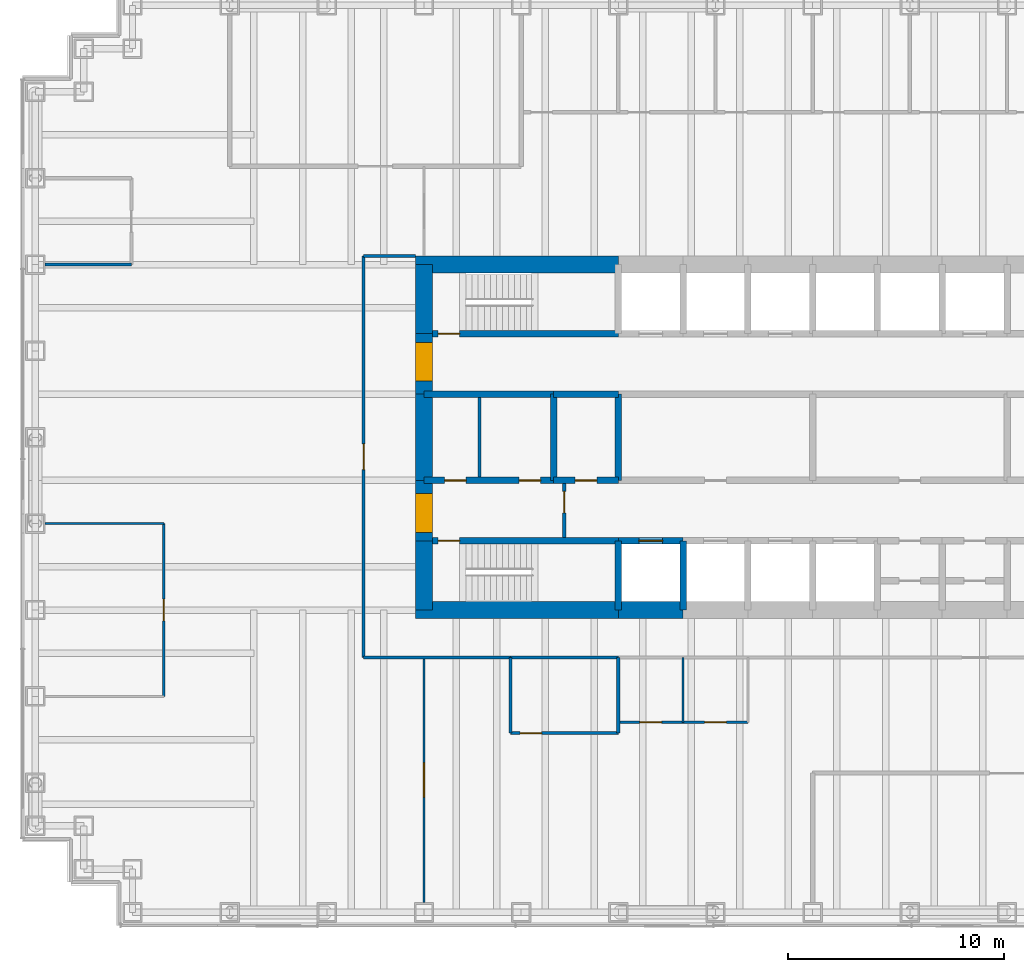
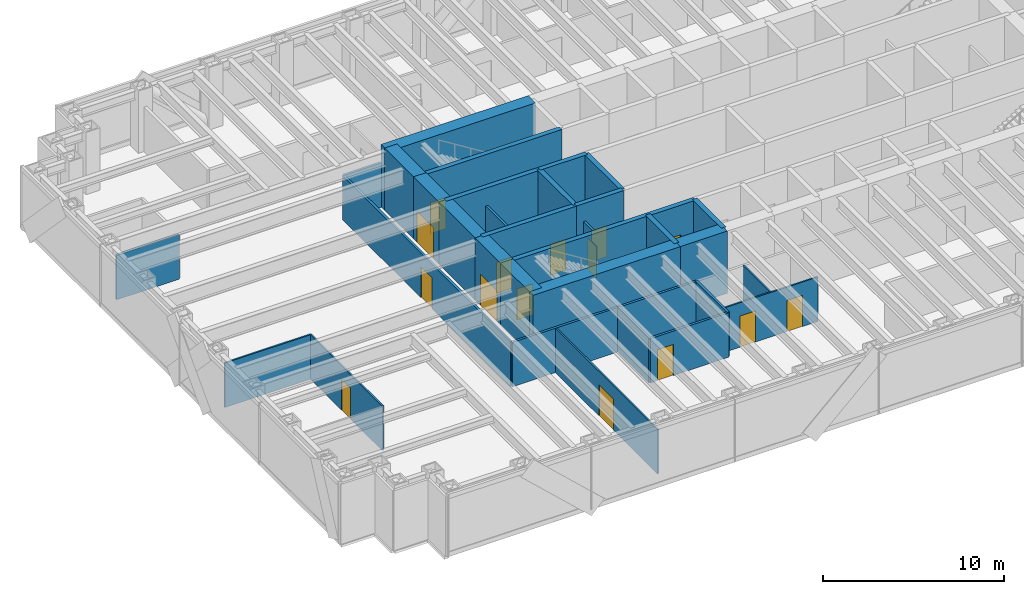
# One storey, part 11 of 15: 34 walls, 15 doors, 15 openings.
"""IFC4 building model written with IfcOpenShell, lengths in metres."""

from ifc_helpers import new_model, si_unit, direction, frame, frame_2d, origin, place, context, subcontext, project, spatial, rectangle, extrude, material, layer, layer_set, type_object, element, fill, save


model = new_model("IFC4")

# Units and contexts
model_context = context("Model", 3, precision=1e-05, world=origin(), true_north=direction((0.0, 1.0)))
body_context = subcontext(model_context, "Body", "Model", "MODEL_VIEW")
ifc_project = project(units=[si_unit("LENGTHUNIT", "METRE"), si_unit("AREAUNIT", "SQUARE_METRE"), si_unit("VOLUMEUNIT", "CUBIC_METRE"), si_unit("PLANEANGLEUNIT", "RADIAN"), si_unit("MASSUNIT", "GRAM", prefix="KILO")], contexts=[model_context])

# Site, building, storey
site_placement = place(None, origin())
site = spatial("IfcSite", under=ifc_project, at=site_placement, CompositionType="ELEMENT")
building_placement = place(site_placement, origin())
building = spatial("IfcBuilding", under=site, at=building_placement, Name="Rheinbord Bourse Tower", CompositionType="ELEMENT")
storey_placement = place(building_placement, frame((0.0, 0.0, 236.199951171875)))
storey = spatial("IfcBuildingStorey", under=building, at=storey_placement, Name="L53", CompositionType="ELEMENT", Elevation=236.199951171875)

# Wall, opening, door
ifc_material_1 = material(Name="Concrete C50/60", Category="concrete")
ifc_layer_1 = layer(ifc_material_1, 0.300048828125)
ifc_layer_set_1 = layer_set([ifc_layer_1], Name="CORE INNER WALL 300")
wall_type_1 = type_object("IfcWallType", Name="CORE INNER WALL 300", PredefinedType="SOLIDWALL", material=ifc_layer_set_1)
wall_1_placement = place(storey_placement, frame((18.0, 19.199951171875, 0.0), z_axis=(0.0, 0.0, 1.0), x_axis=(1.0, 0.0, 0.0)))
wall_1 = element("IfcWall", 1, at=wall_1_placement, inside=storey, type_object=wall_type_1, Name="Core wall A1 L53", PredefinedType="SOLIDWALL", context=body_context, shape_type="SweptSolid", body=[
    extrude(rectangle(XDim=9.0, YDim=0.300048828125, at=frame_2d((4.5, 0.0))), origin(), (0.0, 0.0, 1.0), 4.199951171875),
])
opening_1_placement = place(wall_1_placement, frame((0.64990234375, 0.0, 0.0)))
opening_1 = element("IfcOpeningElement", 2, at=opening_1_placement, cuts=wall_1, Name="Opening 5310", PredefinedType="OPENING", context=body_context, shape_type="SweptSolid", body=[
    extrude(rectangle(XDim=1.0, YDim=2.10009765625, at=frame_2d((0.5, 1.050048828125))), frame((0.0, 0.159912109375, 0.0), z_axis=(0.0, -1.0, 0.0), x_axis=(1.0, 0.0, 0.0)), (0.0, 0.0, 1.0), 0.320068359375),
])
ifc_material_2 = material(Name="Steel door", Category="steel")
door_type_1 = type_object("IfcDoorType", Name="DOOR 1000 EI30", OperationType="SINGLE_SWING_LEFT", PredefinedType="DOOR", material=ifc_material_2)
door_1_placement = place(opening_1_placement, origin())
door_1 = element("IfcDoor", 3, at=door_1_placement, inside=storey, type_object=door_type_1, Name="Stair door ST1 L53", OperationType="SINGLE_SWING_LEFT", OverallHeight=2.10009765625, OverallWidth=1.0, PredefinedType="DOOR", context=body_context, shape_type="SweptSolid", body=[
    extrude(rectangle(XDim=1.0, YDim=2.10009765625, at=frame_2d((0.5, 1.050048828125))), frame((0.0, 0.02490234375, 0.0), z_axis=(0.0, -1.0, 0.0), x_axis=(1.0, 0.0, 0.0)), (0.0, 0.0, 1.0), 0.050048828125),
])
fill(opening_1, door_1)

wall_2_placement = place(storey_placement, frame((27.0, 19.199951171875, 0.0), z_axis=(0.0, 0.0, 1.0), x_axis=(1.0, 0.0, 0.0)))
wall_2 = element("IfcWall", 4, at=wall_2_placement, inside=storey, type_object=wall_type_1, Name="Core wall A2 L53", PredefinedType="SOLIDWALL", context=body_context, shape_type="SweptSolid", body=[
    extrude(rectangle(XDim=3.0, YDim=0.300048828125, at=frame_2d((1.5, 0.0))), origin(), (0.0, 0.0, 1.0), 4.199951171875),
])
opening_2_placement = place(wall_2_placement, frame((0.949951171875, 0.0, 0.0)))
opening_2 = element("IfcOpeningElement", 5, at=opening_2_placement, cuts=wall_2, Name="Opening FL1", PredefinedType="OPENING", context=body_context, shape_type="SweptSolid", body=[
    extrude(rectangle(XDim=1.10009765625, YDim=2.199951171875, at=frame_2d((0.550048828125, 1.10009765625))), frame((0.0, 0.159912109375, 0.0), z_axis=(0.0, -1.0, 0.0), x_axis=(1.0, 0.0, 0.0)), (0.0, 0.0, 1.0), 0.320068359375),
])
ifc_material_3 = material(Name="Steel landing door", Category="steel")
door_type_2 = type_object("IfcDoorType", Name="LIFT LANDING DOOR 1100", OperationType="DOUBLE_DOOR_SLIDING", PredefinedType="USERDEFINED", material=ifc_material_3)
door_2_placement = place(opening_2_placement, origin())
door_2 = element("IfcDoor", 6, at=door_2_placement, inside=storey, type_object=door_type_2, Name="Lift landing door FL1 L53", ObjectType="LIFT LANDING DOOR", OperationType="DOUBLE_DOOR_SLIDING", OverallHeight=2.199951171875, OverallWidth=1.10009765625, PredefinedType="USERDEFINED", context=body_context, shape_type="SweptSolid", body=[
    extrude(rectangle(XDim=1.10009765625, YDim=2.199951171875, at=frame_2d((0.550048828125, 1.10009765625))), frame((0.0, 0.02490234375, 0.0), z_axis=(0.0, -1.0, 0.0), x_axis=(1.0, 0.0, 0.0)), (0.0, 0.0, 1.0), 0.050048828125),
])
fill(opening_2, door_2)

wall_3_placement = place(storey_placement, frame((18.0, 28.800048828125, 0.0), z_axis=(0.0, 0.0, 1.0), x_axis=(1.0, 0.0, 0.0)))
wall_3 = element("IfcWall", 7, at=wall_3_placement, inside=storey, type_object=wall_type_1, Name="Core wall B1 L53", PredefinedType="SOLIDWALL", context=body_context, shape_type="SweptSolid", body=[
    extrude(rectangle(XDim=9.0, YDim=0.300048828125, at=frame_2d((4.5, 0.0))), origin(), (0.0, 0.0, 1.0), 4.199951171875),
])
opening_3_placement = place(wall_3_placement, frame((0.64990234375, 0.0, 0.0)))
opening_3 = element("IfcOpeningElement", 8, at=opening_3_placement, cuts=wall_3, Name="Opening 5320", PredefinedType="OPENING", context=body_context, shape_type="SweptSolid", body=[
    extrude(rectangle(XDim=1.0, YDim=2.10009765625, at=frame_2d((0.5, 1.050048828125))), frame((0.0, 0.159912109375, 0.0), z_axis=(0.0, -1.0, 0.0), x_axis=(1.0, 0.0, 0.0)), (0.0, 0.0, 1.0), 0.320068359375),
])
door_3_placement = place(opening_3_placement, origin())
door_3 = element("IfcDoor", 9, at=door_3_placement, inside=storey, type_object=door_type_1, Name="Stair door ST2 L53", OperationType="SINGLE_SWING_LEFT", OverallHeight=2.10009765625, OverallWidth=1.0, PredefinedType="DOOR", context=body_context, shape_type="SweptSolid", body=[
    extrude(rectangle(XDim=1.0, YDim=2.10009765625, at=frame_2d((0.5, 1.050048828125))), frame((0.0, 0.02490234375, 0.0), z_axis=(0.0, -1.0, 0.0), x_axis=(1.0, 0.0, 0.0)), (0.0, 0.0, 1.0), 0.050048828125),
])
fill(opening_3, door_3)

# Wall, openings, doors
wall_4_placement = place(storey_placement, frame((18.0, 22.0, 0.0), z_axis=(0.0, 0.0, 1.0), x_axis=(1.0, 0.0, 0.0)))
wall_4 = element("IfcWall", 10, at=wall_4_placement, inside=storey, type_object=wall_type_1, Name="Core wall C1 L53", PredefinedType="SOLIDWALL", context=body_context, shape_type="SweptSolid", body=[
    extrude(rectangle(XDim=6.0, YDim=0.300048828125, at=frame_2d((3.0, 0.0))), origin(), (0.0, 0.0, 1.0), 4.199951171875),
])
opening_4_placement = place(wall_4_placement, frame((4.39990234375, 0.0, 0.0)))
opening_4 = element("IfcOpeningElement", 11, at=opening_4_placement, cuts=wall_4, Name="Opening 53R1", PredefinedType="OPENING", context=body_context, shape_type="SweptSolid", body=[
    extrude(rectangle(XDim=1.0, YDim=2.10009765625, at=frame_2d((0.5, 1.050048828125))), frame((0.0, 0.159912109375, 0.0), z_axis=(0.0, -1.0, 0.0), x_axis=(1.0, 0.0, 0.0)), (0.0, 0.0, 1.0), 0.320068359375),
])
opening_5_placement = place(wall_4_placement, frame((0.949951171875, 0.0, 0.0)))
opening_5 = element("IfcOpeningElement", 12, at=opening_5_placement, cuts=wall_4, Name="Opening 53R9", PredefinedType="OPENING", context=body_context, shape_type="SweptSolid", body=[
    extrude(rectangle(XDim=1.0, YDim=2.10009765625, at=frame_2d((0.5, 1.050048828125))), frame((0.0, 0.159912109375, 0.0), z_axis=(0.0, -1.0, 0.0), x_axis=(1.0, 0.0, 0.0)), (0.0, 0.0, 1.0), 0.320068359375),
])
door_4_placement = place(opening_5_placement, origin())
door_4 = element("IfcDoor", 13, at=door_4_placement, inside=storey, type_object=door_type_1, Name="Baby change door L53", OperationType="SINGLE_SWING_LEFT", OverallHeight=2.10009765625, OverallWidth=1.0, PredefinedType="DOOR", context=body_context, shape_type="SweptSolid", body=[
    extrude(rectangle(XDim=1.0, YDim=2.10009765625, at=frame_2d((0.5, 1.050048828125))), frame((0.0, 0.02490234375, 0.0), z_axis=(0.0, -1.0, 0.0), x_axis=(1.0, 0.0, 0.0)), (0.0, 0.0, 1.0), 0.050048828125),
])
fill(opening_5, door_4)
ifc_material_4 = material(Name="Timber door", Category="wood")
door_type_3 = type_object("IfcDoorType", Name="DOOR 1000 WC", OperationType="SINGLE_SWING_LEFT", PredefinedType="DOOR", material=ifc_material_4)
door_5_placement = place(opening_4_placement, origin())
door_5 = element("IfcDoor", 14, at=door_5_placement, inside=storey, type_object=door_type_3, Name="WC men door L53", OperationType="SINGLE_SWING_RIGHT", OverallHeight=2.10009765625, OverallWidth=1.0, PredefinedType="DOOR", context=body_context, shape_type="SweptSolid", body=[
    extrude(rectangle(XDim=1.0, YDim=2.10009765625, at=frame_2d((0.5, 1.050048828125))), frame((0.0, 0.02490234375, 0.0), z_axis=(0.0, -1.0, 0.0), x_axis=(1.0, 0.0, 0.0)), (0.0, 0.0, 1.0), 0.050048828125),
])
fill(opening_4, door_5)

# Wall, opening, door
wall_5_placement = place(storey_placement, frame((24.0, 22.0, 0.0), z_axis=(0.0, 0.0, 1.0), x_axis=(1.0, 0.0, 0.0)))
wall_5 = element("IfcWall", 15, at=wall_5_placement, inside=storey, type_object=wall_type_1, Name="Core wall C2 L53", PredefinedType="SOLIDWALL", context=body_context, shape_type="SweptSolid", body=[
    extrude(rectangle(XDim=3.0, YDim=0.300048828125, at=frame_2d((1.5, 0.0))), origin(), (0.0, 0.0, 1.0), 4.199951171875),
])
opening_6_placement = place(wall_5_placement, frame((1.0, 0.0, 0.0)))
opening_6 = element("IfcOpeningElement", 16, at=opening_6_placement, cuts=wall_5, Name="Opening 53R2", PredefinedType="OPENING", context=body_context, shape_type="SweptSolid", body=[
    extrude(rectangle(XDim=1.0, YDim=2.10009765625, at=frame_2d((0.5, 1.050048828125))), frame((0.0, 0.159912109375, 0.0), z_axis=(0.0, -1.0, 0.0), x_axis=(1.0, 0.0, 0.0)), (0.0, 0.0, 1.0), 0.320068359375),
])
door_6_placement = place(opening_6_placement, origin())
door_6 = element("IfcDoor", 17, at=door_6_placement, inside=storey, type_object=door_type_3, Name="Shower and accessible WC door L53", OperationType="SINGLE_SWING_LEFT", OverallHeight=2.10009765625, OverallWidth=1.0, PredefinedType="DOOR", context=body_context, shape_type="SweptSolid", body=[
    extrude(rectangle(XDim=1.0, YDim=2.10009765625, at=frame_2d((0.5, 1.050048828125))), frame((0.0, 0.02490234375, 0.0), z_axis=(0.0, -1.0, 0.0), x_axis=(1.0, 0.0, 0.0)), (0.0, 0.0, 1.0), 0.050048828125),
])
fill(opening_6, door_6)

# Walls
wall_6_placement = place(storey_placement, frame((18.0, 26.0, 0.0), z_axis=(0.0, 0.0, 1.0), x_axis=(1.0, 0.0, 0.0)))
element("IfcWall", 18, at=wall_6_placement, inside=storey, type_object=wall_type_1, Name="Core wall D1 L53", PredefinedType="SOLIDWALL", context=body_context, shape_type="SweptSolid", body=[
    extrude(rectangle(XDim=6.0, YDim=0.300048828125, at=frame_2d((3.0, 0.0))), origin(), (0.0, 0.0, 1.0), 4.199951171875),
])
wall_7_placement = place(storey_placement, frame((24.0, 26.0, 0.0), z_axis=(0.0, 0.0, 1.0), x_axis=(1.0, 0.0, 0.0)))
element("IfcWall", 19, at=wall_7_placement, inside=storey, type_object=wall_type_1, Name="Core wall D2 L53", PredefinedType="SOLIDWALL", context=body_context, shape_type="SweptSolid", body=[
    extrude(rectangle(XDim=3.0, YDim=0.300048828125, at=frame_2d((1.5, 0.0))), origin(), (0.0, 0.0, 1.0), 4.199951171875),
])
for number, where, z_axis, x_axis, name in (
    (20, (27.0, 16.0, 0.0), (0.0, 0.0, 1.0), (0.0, 1.0, 0.0), "Core wall SX27 L53"),
    (21, (30.0, 16.0, 0.0), (0.0, 0.0, 1.0), (0.0, 1.0, 0.0), "Core wall SX30 L53"),
):
    element("IfcWall", number, at=place(storey_placement, frame(where, z_axis=z_axis, x_axis=x_axis)), inside=storey, type_object=wall_type_1, Name=name, PredefinedType="SOLIDWALL", context=body_context, shape_type="SweptSolid", body=[
        extrude(rectangle(XDim=3.199951171875, YDim=0.300048828125, at=frame_2d((1.60009765625, 0.0))), origin(), (0.0, 0.0, 1.0), 4.199951171875),
    ])
for number, where, z_axis, x_axis, name in (
    (22, (24.0, 22.0, 0.0), (0.0, 0.0, 1.0), (0.0, 1.0, 0.0), "Core wall MX24 L53"),
    (23, (27.0, 22.0, 0.0), (0.0, 0.0, 1.0), (0.0, 1.0, 0.0), "Core wall MX27 L53"),
):
    element("IfcWall", number, at=place(storey_placement, frame(where, z_axis=z_axis, x_axis=x_axis)), inside=storey, type_object=wall_type_1, Name=name, PredefinedType="SOLIDWALL", context=body_context, shape_type="SweptSolid", body=[
        extrude(rectangle(XDim=4.0, YDim=0.300048828125, at=frame_2d((2.0, 0.0))), origin(), (0.0, 0.0, 1.0), 4.199951171875),
    ])
ifc_material_5 = material(Name="Gypsum board fire partition", Category="gypsum board")
ifc_layer_2 = layer(ifc_material_5, 0.14990234375)
ifc_layer_set_2 = layer_set([ifc_layer_2], Name="CORE PARTITION 150 EI30")
wall_type_2 = type_object("IfcWallType", Name="CORE PARTITION 150 EI30", PredefinedType="PARTITIONING", material=ifc_layer_set_2)
wall_8_placement = place(storey_placement, frame((20.574951171875, 22.14990234375, 0.0), z_axis=(0.0, 0.0, 1.0), x_axis=(0.0, 1.0, 0.0)))
element("IfcWall", 24, at=wall_8_placement, inside=storey, type_object=wall_type_2, Name="Core partition L53-2", PredefinedType="PARTITIONING", context=body_context, shape_type="SweptSolid", body=[
    extrude(rectangle(XDim=3.7001953125, YDim=0.14990234375, at=frame_2d((1.85009765625, 0.0))), origin(), (0.0, 0.0, 1.0), 3.0),
])

# Wall, opening, door
wall_9_placement = place(storey_placement, frame((24.5, 19.35009765625, 0.0), z_axis=(0.0, 0.0, 1.0), x_axis=(0.0, 1.0, 0.0)))
wall_9 = element("IfcWall", 25, at=wall_9_placement, inside=storey, type_object=wall_type_2, Name="Core partition L53-4", PredefinedType="PARTITIONING", context=body_context, shape_type="SweptSolid", body=[
    extrude(rectangle(XDim=2.5, YDim=0.14990234375, at=frame_2d((1.25, 0.0))), origin(), (0.0, 0.0, 1.0), 3.0),
])
opening_7_placement = place(wall_9_placement, frame((1.14990234375, 0.0, 0.0)))
opening_7 = element("IfcOpeningElement", 26, at=opening_7_placement, cuts=wall_9, Name="Opening 53L5", PredefinedType="OPENING", context=body_context, shape_type="SweptSolid", body=[
    extrude(rectangle(XDim=1.0, YDim=2.10009765625, at=frame_2d((0.5, 1.050048828125))), frame((0.0, 0.0849609375, 0.0), z_axis=(0.0, -1.0, 0.0), x_axis=(1.0, 0.0, 0.0)), (0.0, 0.0, 1.0), 0.169921875),
])
door_7_placement = place(opening_7_placement, origin())
door_7 = element("IfcDoor", 27, at=door_7_placement, inside=storey, type_object=door_type_1, Name="Stair lobby door L53", OperationType="SINGLE_SWING_RIGHT", OverallHeight=2.10009765625, OverallWidth=1.0, PredefinedType="DOOR", context=body_context, shape_type="SweptSolid", body=[
    extrude(rectangle(XDim=1.0, YDim=2.10009765625, at=frame_2d((0.5, 1.050048828125))), frame((0.0, 0.02490234375, 0.0), z_axis=(0.0, -1.0, 0.0), x_axis=(1.0, 0.0, 0.0)), (0.0, 0.0, 1.0), 0.050048828125),
])
fill(opening_7, door_7)

# Walls
ifc_material_6 = material(Name="Concrete C50/60", Category="concrete")
ifc_layer_3 = layer(ifc_material_6, 0.800048828125)
ifc_layer_set_3 = layer_set([ifc_layer_3], Name="CORE WALL 800")
wall_type_3 = type_object("IfcWallType", Name="CORE WALL 800", PredefinedType="SHEAR", material=ifc_layer_set_3)
wall_10_placement = place(storey_placement, frame((17.60009765625, 16.0, 0.0), z_axis=(0.0, 0.0, 1.0), x_axis=(1.0, 0.0, 0.0)))
element("IfcWall", 28, at=wall_10_placement, inside=storey, type_object=wall_type_3, Name="Core wall S1 L53", PredefinedType="SHEAR", context=body_context, shape_type="SweptSolid", body=[
    extrude(rectangle(XDim=9.39990234375, YDim=0.800048828125, at=frame_2d((4.699951171875, 0.0))), origin(), (0.0, 0.0, 1.0), 4.199951171875),
])
wall_11_placement = place(storey_placement, frame((27.0, 16.0, 0.0), z_axis=(0.0, 0.0, 1.0), x_axis=(1.0, 0.0, 0.0)))
element("IfcWall", 29, at=wall_11_placement, inside=storey, type_object=wall_type_3, Name="Core wall S2 L53", PredefinedType="SHEAR", context=body_context, shape_type="SweptSolid", body=[
    extrude(rectangle(XDim=3.0, YDim=0.800048828125, at=frame_2d((1.5, 0.0))), origin(), (0.0, 0.0, 1.0), 4.199951171875),
])
wall_12_placement = place(storey_placement, frame((27.0, 32.0, 0.0), z_axis=(0.0, 0.0, 1.0), x_axis=(-1.0, 0.0, 0.0)))
element("IfcWall", 30, at=wall_12_placement, inside=storey, type_object=wall_type_3, Name="Core wall N8 L53", PredefinedType="SHEAR", context=body_context, shape_type="SweptSolid", body=[
    extrude(rectangle(XDim=9.39990234375, YDim=0.800048828125, at=frame_2d((4.699951171875, 0.0))), origin(), (0.0, 0.0, 1.0), 4.199951171875),
])
wall_13_placement = place(storey_placement, frame((18.0, 32.0, 0.0), z_axis=(0.0, 0.0, 1.0), x_axis=(0.0, -1.0, 0.0)))
element("IfcWall", 31, at=wall_13_placement, inside=storey, type_object=wall_type_3, Name="Core wall W1 L53", PredefinedType="SHEAR", context=body_context, shape_type="SweptSolid", body=[
    extrude(rectangle(XDim=3.199951171875, YDim=0.800048828125, at=frame_2d((1.60009765625, 0.0))), origin(), (0.0, 0.0, 1.0), 4.199951171875),
])

# Wall, opening, door
wall_14_placement = place(storey_placement, frame((18.0, 28.800048828125, 0.0), z_axis=(0.0, 0.0, 1.0), x_axis=(0.0, -1.0, 0.0)))
wall_14 = element("IfcWall", 32, at=wall_14_placement, inside=storey, type_object=wall_type_3, Name="Core wall W2 L53", PredefinedType="SHEAR", context=body_context, shape_type="SweptSolid", body=[
    extrude(rectangle(XDim=2.800048828125, YDim=0.800048828125, at=frame_2d((1.39990234375, 0.0))), origin(), (0.0, 0.0, 1.0), 4.199951171875),
])
opening_8_placement = place(wall_14_placement, frame((0.39990234375, 0.0, 0.0)))
opening_8 = element("IfcOpeningElement", 33, at=opening_8_placement, cuts=wall_14, Name="Opening 53L2", PredefinedType="OPENING", context=body_context, shape_type="SweptSolid", body=[
    extrude(rectangle(XDim=1.800048828125, YDim=2.10009765625, at=frame_2d((0.89990234375, 1.050048828125))), frame((0.0, 0.409912109375, 0.0), z_axis=(0.0, -1.0, 0.0), x_axis=(1.0, 0.0, 0.0)), (0.0, 0.0, 1.0), 0.820068359375),
])
ifc_material_7 = material(Name="Steel door", Category="steel")
door_type_4 = type_object("IfcDoorType", Name="DOOR 1800 EI30 DOUBLE", OperationType="DOUBLE_DOOR_DOUBLE_SWING", PredefinedType="DOOR", material=ifc_material_7)
door_8_placement = place(opening_8_placement, origin())
door_8 = element("IfcDoor", 34, at=door_8_placement, inside=storey, type_object=door_type_4, Name="Lobby door 2 L53", OperationType="SINGLE_SWING_LEFT", OverallHeight=2.10009765625, OverallWidth=1.800048828125, PredefinedType="DOOR", context=body_context, shape_type="SweptSolid", body=[
    extrude(rectangle(XDim=1.800048828125, YDim=2.10009765625, at=frame_2d((0.89990234375, 1.050048828125))), frame((0.0, 0.39990234375, 0.0), z_axis=(0.0, -1.0, 0.0), x_axis=(1.0, 0.0, 0.0)), (0.0, 0.0, 1.0), 0.799560546875),
])
fill(opening_8, door_8)

# Wall
wall_15_placement = place(storey_placement, frame((18.0, 26.0, 0.0), z_axis=(0.0, 0.0, 1.0), x_axis=(0.0, -1.0, 0.0)))
element("IfcWall", 35, at=wall_15_placement, inside=storey, type_object=wall_type_3, Name="Core wall W3 L53", PredefinedType="SHEAR", context=body_context, shape_type="SweptSolid", body=[
    extrude(rectangle(XDim=4.0, YDim=0.800048828125, at=frame_2d((2.0, 0.0))), origin(), (0.0, 0.0, 1.0), 4.199951171875),
])

# Wall, opening, door
wall_16_placement = place(storey_placement, frame((18.0, 22.0, 0.0), z_axis=(0.0, 0.0, 1.0), x_axis=(0.0, -1.0, 0.0)))
wall_16 = element("IfcWall", 36, at=wall_16_placement, inside=storey, type_object=wall_type_3, Name="Core wall W4 L53", PredefinedType="SHEAR", context=body_context, shape_type="SweptSolid", body=[
    extrude(rectangle(XDim=2.800048828125, YDim=0.800048828125, at=frame_2d((1.39990234375, 0.0))), origin(), (0.0, 0.0, 1.0), 4.199951171875),
])
opening_9_placement = place(wall_16_placement, frame((0.60009765625, 0.0, 0.0)))
opening_9 = element("IfcOpeningElement", 37, at=opening_9_placement, cuts=wall_16, Name="Opening 53L1", PredefinedType="OPENING", context=body_context, shape_type="SweptSolid", body=[
    extrude(rectangle(XDim=1.800048828125, YDim=2.10009765625, at=frame_2d((0.89990234375, 1.050048828125))), frame((0.0, 0.409912109375, 0.0), z_axis=(0.0, -1.0, 0.0), x_axis=(1.0, 0.0, 0.0)), (0.0, 0.0, 1.0), 0.820068359375),
])
door_9_placement = place(opening_9_placement, origin())
door_9 = element("IfcDoor", 38, at=door_9_placement, inside=storey, type_object=door_type_4, Name="Lobby door 1 L53", OperationType="SINGLE_SWING_LEFT", OverallHeight=2.10009765625, OverallWidth=1.800048828125, PredefinedType="DOOR", context=body_context, shape_type="SweptSolid", body=[
    extrude(rectangle(XDim=1.800048828125, YDim=2.10009765625, at=frame_2d((0.89990234375, 1.050048828125))), frame((0.0, 0.39990234375, 0.0), z_axis=(0.0, -1.0, 0.0), x_axis=(1.0, 0.0, 0.0)), (0.0, 0.0, 1.0), 0.799560546875),
])
fill(opening_9, door_9)

# Walls
wall_17_placement = place(storey_placement, frame((18.0, 19.199951171875, 0.0), z_axis=(0.0, 0.0, 1.0), x_axis=(0.0, -1.0, 0.0)))
element("IfcWall", 39, at=wall_17_placement, inside=storey, type_object=wall_type_3, Name="Core wall W5 L53", PredefinedType="SHEAR", context=body_context, shape_type="SweptSolid", body=[
    extrude(rectangle(XDim=3.199951171875, YDim=0.800048828125, at=frame_2d((1.60009765625, 0.0))), origin(), (0.0, 0.0, 1.0), 4.199951171875),
])
ifc_material_8 = material(Name="Gypsum board corridor partition", Category="gypsum board")
ifc_layer_4 = layer(ifc_material_8, 0.14990234375)
ifc_layer_set_4 = layer_set([ifc_layer_4], Name="CORRIDOR PARTITION 150 EI30")
wall_type_4 = type_object("IfcWallType", Name="CORRIDOR PARTITION 150 EI30", PredefinedType="PARTITIONING", material=ifc_layer_set_4)
wall_18_placement = place(storey_placement, frame((15.199951171875, 13.800048828125, 0.0), z_axis=(0.0, 0.0, 1.0), x_axis=(1.0, 0.0, 0.0)))
element("IfcWall", 40, at=wall_18_placement, inside=storey, type_object=wall_type_4, Name="Partition L53-06", PredefinedType="PARTITIONING", context=body_context, shape_type="SweptSolid", body=[
    extrude(rectangle(XDim=6.800048828125, YDim=0.14990234375, at=frame_2d((3.39990234375, 0.0))), origin(), (0.0, 0.0, 1.0), 3.0),
])
wall_19_placement = place(storey_placement, frame((15.199951171875, 32.39990234375, 0.0), z_axis=(0.0, 0.0, 1.0), x_axis=(1.0, 0.0, 0.0)))
element("IfcWall", 41, at=wall_19_placement, inside=storey, type_object=wall_type_4, Name="Partition L53-14", PredefinedType="PARTITIONING", context=body_context, shape_type="SweptSolid", body=[
    extrude(rectangle(XDim=2.400146484375, YDim=0.14990234375, at=frame_2d((1.2001953125, 0.0))), origin(), (0.0, 0.0, 1.0), 3.0),
])

# Wall, opening, door
wall_20_placement = place(storey_placement, frame((15.199951171875, 13.800048828125, 0.0), z_axis=(0.0, 0.0, 1.0), x_axis=(0.0, 1.0, 0.0)))
wall_20 = element("IfcWall", 42, at=wall_20_placement, inside=storey, type_object=wall_type_4, Name="Partition L53-22", PredefinedType="PARTITIONING", context=body_context, shape_type="SweptSolid", body=[
    extrude(rectangle(XDim=18.599853515625, YDim=0.14990234375, at=frame_2d((9.2998046875, 0.0))), origin(), (0.0, 0.0, 1.0), 3.0),
])
opening_10_placement = place(wall_20_placement, frame((8.699951171875, 0.0, 0.0)))
opening_10 = element("IfcOpeningElement", 43, at=opening_10_placement, cuts=wall_20, Name="Opening 53D20", PredefinedType="OPENING", context=body_context, shape_type="SweptSolid", body=[
    extrude(rectangle(XDim=1.199951171875, YDim=2.10009765625, at=frame_2d((0.60009765625, 1.050048828125))), frame((0.0, 0.0849609375, 0.0), z_axis=(0.0, -1.0, 0.0), x_axis=(1.0, 0.0, 0.0)), (0.0, 0.0, 1.0), 0.169921875),
])
ifc_material_9 = material(Name="Timber fire door", Category="wood")
door_type_5 = type_object("IfcDoorType", Name="SUITE ENTRANCE DOOR 1200 EI30", OperationType="SINGLE_SWING_LEFT", PredefinedType="DOOR", material=ifc_material_9)
door_10_placement = place(opening_10_placement, origin())
door_10 = element("IfcDoor", 44, at=door_10_placement, inside=storey, type_object=door_type_5, Name="Suite entrance 1 door L53", OperationType="SINGLE_SWING_LEFT", OverallHeight=2.10009765625, OverallWidth=1.199951171875, PredefinedType="DOOR", context=body_context, shape_type="SweptSolid", body=[
    extrude(rectangle(XDim=1.199951171875, YDim=2.10009765625, at=frame_2d((0.60009765625, 1.050048828125))), frame((0.0, 0.02490234375, 0.0), z_axis=(0.0, -1.0, 0.0), x_axis=(1.0, 0.0, 0.0)), (0.0, 0.0, 1.0), 0.050048828125),
])
fill(opening_10, door_10)

ifc_material_10 = material(Name="Gypsum board fire partition", Category="gypsum board")
ifc_layer_5 = layer(ifc_material_10, 0.14990234375)
ifc_layer_set_5 = layer_set([ifc_layer_5], Name="FIRE PARTITION 150 EI60")
wall_type_5 = type_object("IfcWallType", Name="FIRE PARTITION 150 EI60", PredefinedType="PARTITIONING", material=ifc_layer_set_5)
wall_21_placement = place(storey_placement, frame((22.0, 10.300048828125, 0.0), z_axis=(0.0, 0.0, 1.0), x_axis=(1.0, 0.0, 0.0)))
wall_21 = element("IfcWall", 45, at=wall_21_placement, inside=storey, type_object=wall_type_5, Name="Partition L53-02", PredefinedType="PARTITIONING", context=body_context, shape_type="SweptSolid", body=[
    extrude(rectangle(XDim=5.0, YDim=0.14990234375, at=frame_2d((2.5, 0.0))), origin(), (0.0, 0.0, 1.0), 3.0),
])
opening_11_placement = place(wall_21_placement, frame((0.449951171875, 0.0, 0.0)))
opening_11 = element("IfcOpeningElement", 46, at=opening_11_placement, cuts=wall_21, Name="Opening 53D02", PredefinedType="OPENING", context=body_context, shape_type="SweptSolid", body=[
    extrude(rectangle(XDim=1.0, YDim=2.10009765625, at=frame_2d((0.5, 1.050048828125))), frame((0.0, 0.0849609375, 0.0), z_axis=(0.0, -1.0, 0.0), x_axis=(1.0, 0.0, 0.0)), (0.0, 0.0, 1.0), 0.169921875),
])
ifc_material_11 = material(Name="Timber fire door", Category="wood")
door_type_6 = type_object("IfcDoorType", Name="FIRE DOOR 1000 EI60", OperationType="SINGLE_SWING_LEFT", PredefinedType="DOOR", material=ifc_material_11)
door_11_placement = place(opening_11_placement, origin())
door_11 = element("IfcDoor", 47, at=door_11_placement, inside=storey, type_object=door_type_6, Name="Comms room door L53", OperationType="SINGLE_SWING_LEFT", OverallHeight=2.10009765625, OverallWidth=1.0, PredefinedType="DOOR", context=body_context, shape_type="SweptSolid", body=[
    extrude(rectangle(XDim=1.0, YDim=2.10009765625, at=frame_2d((0.5, 1.050048828125))), frame((0.0, 0.02490234375, 0.0), z_axis=(0.0, -1.0, 0.0), x_axis=(1.0, 0.0, 0.0)), (0.0, 0.0, 1.0), 0.050048828125),
])
fill(opening_11, door_11)

# Walls
wall_22_placement = place(storey_placement, frame((22.0, 13.800048828125, 0.0), z_axis=(0.0, 0.0, 1.0), x_axis=(1.0, 0.0, 0.0)))
element("IfcWall", 48, at=wall_22_placement, inside=storey, type_object=wall_type_5, Name="Partition L53-07", PredefinedType="PARTITIONING", context=body_context, shape_type="SweptSolid", body=[
    extrude(rectangle(XDim=5.0, YDim=0.14990234375, at=frame_2d((2.5, 0.0))), origin(), (0.0, 0.0, 1.0), 3.0),
])
for number, where, z_axis, x_axis, name in (
    (49, (22.0, 10.300048828125, 0.0), (0.0, 0.0, 1.0), (0.0, 1.0, 0.0), "Partition L53-25"),
    (50, (27.0, 10.300048828125, 0.0), (0.0, 0.0, 1.0), (0.0, 1.0, 0.0), "Partition L53-27"),
):
    element("IfcWall", number, at=place(storey_placement, frame(where, z_axis=z_axis, x_axis=x_axis)), inside=storey, type_object=wall_type_5, Name=name, PredefinedType="PARTITIONING", context=body_context, shape_type="SweptSolid", body=[
        extrude(rectangle(XDim=3.5, YDim=0.14990234375, at=frame_2d((1.75, 0.0))), origin(), (0.0, 0.0, 1.0), 3.0),
    ])

# Wall, openings, doors
ifc_material_12 = material(Name="Toughened laminated glass partition", Category="glass")
ifc_layer_6 = layer(ifc_material_12, 0.10009765625)
ifc_layer_set_6 = layer_set([ifc_layer_6], Name="GLAZED PARTITION 100")
wall_type_6 = type_object("IfcWallType", Name="GLAZED PARTITION 100", PredefinedType="PARTITIONING", material=ifc_layer_set_6)
wall_23_placement = place(storey_placement, frame((27.0, 10.800048828125, 0.0), z_axis=(0.0, 0.0, 1.0), x_axis=(1.0, 0.0, 0.0)))
wall_23 = element("IfcWall", 51, at=wall_23_placement, inside=storey, type_object=wall_type_6, Name="Partition L53-03", PredefinedType="PARTITIONING", context=body_context, shape_type="SweptSolid", body=[
    extrude(rectangle(XDim=6.0, YDim=0.10009765625, at=frame_2d((3.0, 0.0))), origin(), (0.0, 0.0, 1.0), 3.0),
])
opening_12_placement = place(wall_23_placement, frame((1.0, 0.0, 0.0)))
opening_12 = element("IfcOpeningElement", 52, at=opening_12_placement, cuts=wall_23, Name="Opening 53D03", PredefinedType="OPENING", context=body_context, shape_type="SweptSolid", body=[
    extrude(rectangle(XDim=1.0, YDim=2.10009765625, at=frame_2d((0.5, 1.050048828125))), frame((0.0, 0.06005859375, 0.0), z_axis=(0.0, -1.0, 0.0), x_axis=(1.0, 0.0, 0.0)), (0.0, 0.0, 1.0), 0.1201171875),
])
opening_13_placement = place(wall_23_placement, frame((4.0, 0.0, 0.0)))
opening_13 = element("IfcOpeningElement", 53, at=opening_13_placement, cuts=wall_23, Name="Opening 53D04", PredefinedType="OPENING", context=body_context, shape_type="SweptSolid", body=[
    extrude(rectangle(XDim=1.0, YDim=2.10009765625, at=frame_2d((0.5, 1.050048828125))), frame((0.0, 0.06005859375, 0.0), z_axis=(0.0, -1.0, 0.0), x_axis=(1.0, 0.0, 0.0)), (0.0, 0.0, 1.0), 0.1201171875),
])
ifc_material_13 = material(Name="Timber door", Category="wood")
door_type_7 = type_object("IfcDoorType", Name="ROOM DOOR 1000", OperationType="SINGLE_SWING_LEFT", PredefinedType="DOOR", material=ifc_material_13)
door_12_placement = place(opening_12_placement, origin())
door_12 = element("IfcDoor", 54, at=door_12_placement, inside=storey, type_object=door_type_7, Name="Quiet room door L53", OperationType="SINGLE_SWING_LEFT", OverallHeight=2.10009765625, OverallWidth=1.0, PredefinedType="DOOR", context=body_context, shape_type="SweptSolid", body=[
    extrude(rectangle(XDim=1.0, YDim=2.10009765625, at=frame_2d((0.5, 1.050048828125))), frame((0.0, 0.02490234375, 0.0), z_axis=(0.0, -1.0, 0.0), x_axis=(1.0, 0.0, 0.0)), (0.0, 0.0, 1.0), 0.050048828125),
])
fill(opening_12, door_12)
door_13_placement = place(opening_13_placement, origin())
door_13 = element("IfcDoor", 55, at=door_13_placement, inside=storey, type_object=door_type_7, Name="Quiet room door L53", OperationType="SINGLE_SWING_RIGHT", OverallHeight=2.10009765625, OverallWidth=1.0, PredefinedType="DOOR", context=body_context, shape_type="SweptSolid", body=[
    extrude(rectangle(XDim=1.0, YDim=2.10009765625, at=frame_2d((0.5, 1.050048828125))), frame((0.0, 0.02490234375, 0.0), z_axis=(0.0, -1.0, 0.0), x_axis=(1.0, 0.0, 0.0)), (0.0, 0.0, 1.0), 0.050048828125),
])
fill(opening_13, door_13)

# Wall
wall_24_placement = place(storey_placement, frame((0.449951171875, 20.0, 0.0), z_axis=(0.0, 0.0, 1.0), x_axis=(1.0, 0.0, 0.0)))
element("IfcWall", 56, at=wall_24_placement, inside=storey, type_object=wall_type_6, Name="Partition L53-09", PredefinedType="PARTITIONING", context=body_context, shape_type="SweptSolid", body=[
    extrude(rectangle(XDim=5.5, YDim=0.10009765625, at=frame_2d((2.75, 0.0))), origin(), (0.0, 0.0, 1.0), 3.0),
])

# Wall, opening, door
wall_25_placement = place(storey_placement, frame((5.949951171875, 12.0, 0.0), z_axis=(0.0, 0.0, 1.0), x_axis=(0.0, 1.0, 0.0)))
wall_25 = element("IfcWall", 57, at=wall_25_placement, inside=storey, type_object=wall_type_6, Name="Partition L53-20", PredefinedType="PARTITIONING", context=body_context, shape_type="SweptSolid", body=[
    extrude(rectangle(XDim=8.0, YDim=0.10009765625, at=frame_2d((4.0, 0.0))), origin(), (0.0, 0.0, 1.0), 3.0),
])
opening_14_placement = place(wall_25_placement, frame((3.5, 0.0, 0.0)))
opening_14 = element("IfcOpeningElement", 58, at=opening_14_placement, cuts=wall_25, Name="Opening 53D06", PredefinedType="OPENING", context=body_context, shape_type="SweptSolid", body=[
    extrude(rectangle(XDim=1.0, YDim=2.10009765625, at=frame_2d((0.5, 1.050048828125))), frame((0.0, 0.06005859375, 0.0), z_axis=(0.0, -1.0, 0.0), x_axis=(1.0, 0.0, 0.0)), (0.0, 0.0, 1.0), 0.1201171875),
])
door_14_placement = place(opening_14_placement, origin())
door_14 = element("IfcDoor", 59, at=door_14_placement, inside=storey, type_object=door_type_7, Name="Meeting room door L53", OperationType="SINGLE_SWING_LEFT", OverallHeight=2.10009765625, OverallWidth=1.0, PredefinedType="DOOR", context=body_context, shape_type="SweptSolid", body=[
    extrude(rectangle(XDim=1.0, YDim=2.10009765625, at=frame_2d((0.5, 1.050048828125))), frame((0.0, 0.02490234375, 0.0), z_axis=(0.0, -1.0, 0.0), x_axis=(1.0, 0.0, 0.0)), (0.0, 0.0, 1.0), 0.050048828125),
])
fill(opening_14, door_14)

wall_26_placement = place(storey_placement, frame((18.0, 2.449951171875, 0.0), z_axis=(0.0, 0.0, 1.0), x_axis=(0.0, 1.0, 0.0)))
wall_26 = element("IfcWall", 60, at=wall_26_placement, inside=storey, type_object=wall_type_6, Name="Partition L53-23", PredefinedType="PARTITIONING", context=body_context, shape_type="SweptSolid", body=[
    extrude(rectangle(XDim=11.35009765625, YDim=0.10009765625, at=frame_2d((5.675048828125, 0.0))), origin(), (0.0, 0.0, 1.0), 3.0),
])
opening_15_placement = place(wall_26_placement, frame((4.875, 0.0, 0.0)))
opening_15 = element("IfcOpeningElement", 61, at=opening_15_placement, cuts=wall_26, Name="Opening 53D16", PredefinedType="OPENING", context=body_context, shape_type="SweptSolid", body=[
    extrude(rectangle(XDim=1.60009765625, YDim=2.10009765625, at=frame_2d((0.800048828125, 1.050048828125))), frame((0.0, 0.06005859375, 0.0), z_axis=(0.0, -1.0, 0.0), x_axis=(1.0, 0.0, 0.0)), (0.0, 0.0, 1.0), 0.1201171875),
])
ifc_material_14 = material(Name="Timber door", Category="wood")
door_type_8 = type_object("IfcDoorType", Name="DOUBLE ROOM DOOR 1600", OperationType="DOUBLE_DOOR_DOUBLE_SWING", PredefinedType="DOOR", material=ifc_material_14)
door_15_placement = place(opening_15_placement, origin())
door_15 = element("IfcDoor", 62, at=door_15_placement, inside=storey, type_object=door_type_8, Name="Open area door L53", OperationType="SINGLE_SWING_LEFT", OverallHeight=2.10009765625, OverallWidth=1.60009765625, PredefinedType="DOOR", context=body_context, shape_type="SweptSolid", body=[
    extrude(rectangle(XDim=1.60009765625, YDim=2.10009765625, at=frame_2d((0.800048828125, 1.050048828125))), frame((0.0, 0.02490234375, 0.0), z_axis=(0.0, -1.0, 0.0), x_axis=(1.0, 0.0, 0.0)), (0.0, 0.0, 1.0), 0.050048828125),
])
fill(opening_15, door_15)

# Walls
wall_27_placement = place(storey_placement, frame((30.0, 10.800048828125, 0.0), z_axis=(0.0, 0.0, 1.0), x_axis=(0.0, 1.0, 0.0)))
element("IfcWall", 63, at=wall_27_placement, inside=storey, type_object=wall_type_6, Name="Partition L53-29", PredefinedType="PARTITIONING", context=body_context, shape_type="SweptSolid", body=[
    extrude(rectangle(XDim=3.0, YDim=0.10009765625, at=frame_2d((1.5, 0.0))), origin(), (0.0, 0.0, 1.0), 3.0),
])
ifc_material_15 = material(Name="Gypsum board partition", Category="gypsum board")
ifc_layer_7 = layer(ifc_material_15, 0.14990234375)
ifc_layer_set_7 = layer_set([ifc_layer_7], Name="PARTITION 150")
wall_type_7 = type_object("IfcWallType", Name="PARTITION 150", PredefinedType="PARTITIONING", material=ifc_layer_set_7)
wall_28_placement = place(storey_placement, frame((0.449951171875, 32.0, 0.0), z_axis=(0.0, 0.0, 1.0), x_axis=(1.0, 0.0, 0.0)))
element("IfcWall", 64, at=wall_28_placement, inside=storey, type_object=wall_type_7, Name="Partition L53-12", PredefinedType="PARTITIONING", context=body_context, shape_type="SweptSolid", body=[
    extrude(rectangle(XDim=4.0, YDim=0.14990234375, at=frame_2d((2.0, 0.0))), origin(), (0.0, 0.0, 1.0), 3.0),
])

save(model, "model.ifc")
